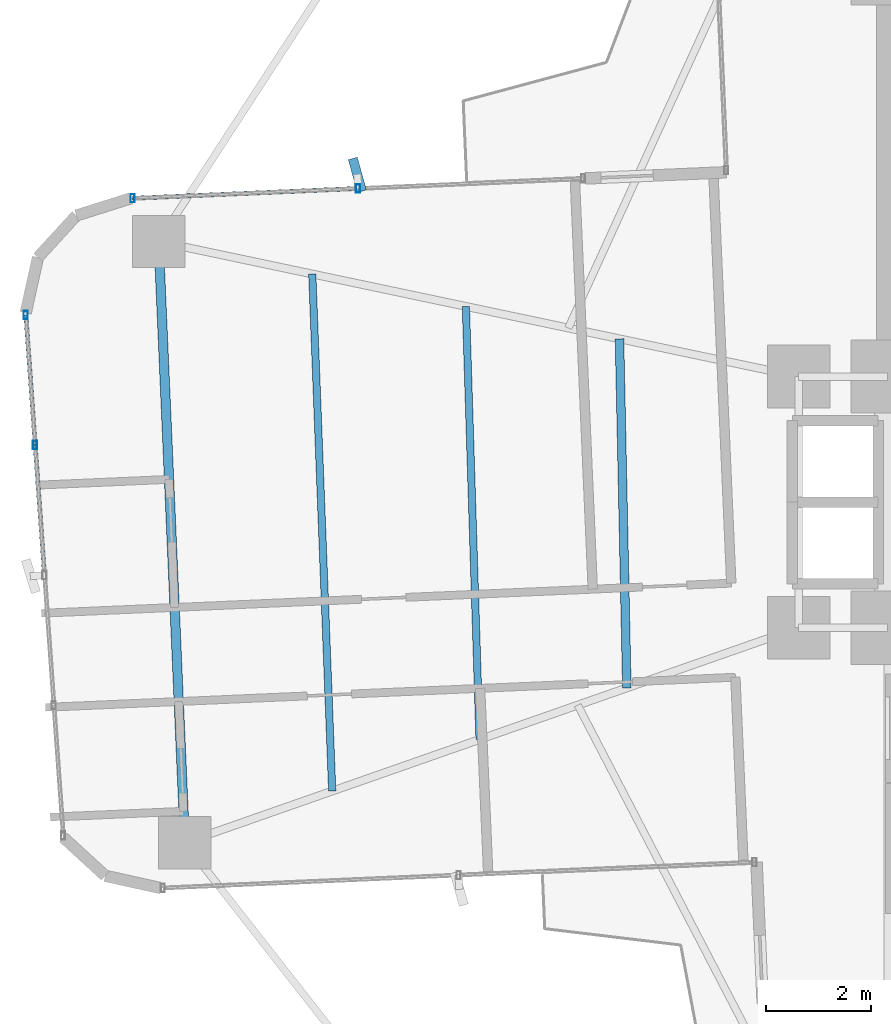
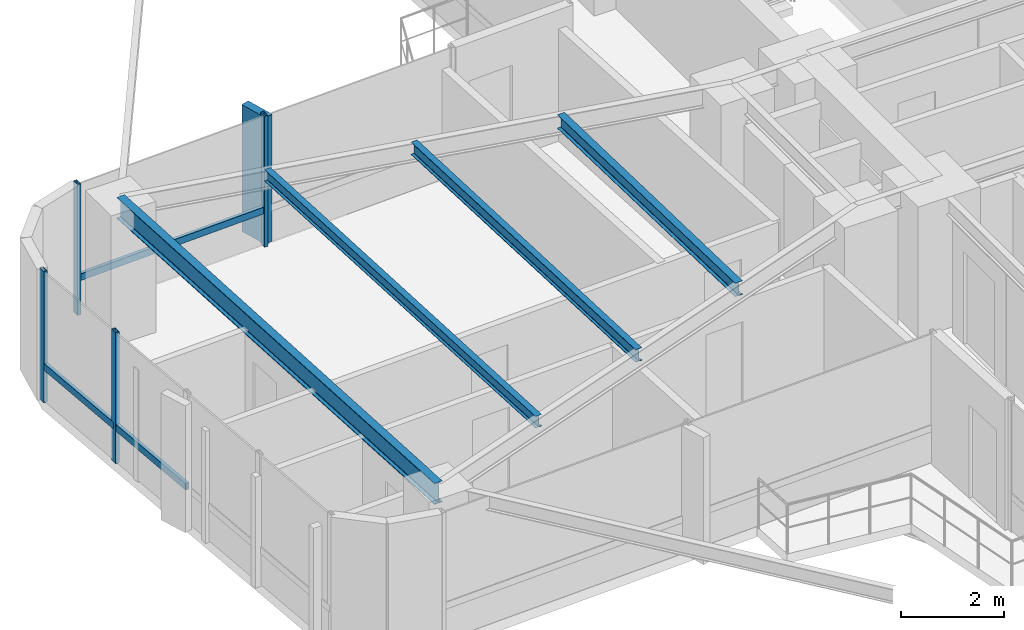
# One storey, part 9 of 26: 8 members, 4 beams, 2 elements without a shape of their own.
"""IFC4 building model written with IfcOpenShell, lengths in metres."""

from ifc_helpers import new_model, si_unit, direction, frame, origin, origin_2d, place, context, subcontext, project, spatial, rectangle, hollow_rectangle, i_section, extrude, source, transform, mapped, material, material_profile, profile_set, type_object, element, aggregate, save


model = new_model("IFC4")

# Units and contexts
model_context = context("Model", 3, precision=1e-05, world=origin(), true_north=direction((0.0, 1.0)))
body_context = subcontext(model_context, "Body", "Model", "MODEL_VIEW")
ifc_project = project(units=[si_unit("LENGTHUNIT", "METRE"), si_unit("AREAUNIT", "SQUARE_METRE"), si_unit("VOLUMEUNIT", "CUBIC_METRE"), si_unit("PLANEANGLEUNIT", "RADIAN"), si_unit("MASSUNIT", "GRAM", prefix="KILO")], contexts=[model_context])

# Site, building, storey
site_placement = place(None, origin())
site = spatial("IfcSite", under=ifc_project, at=site_placement, CompositionType="ELEMENT")
building_placement = place(site_placement, origin())
building = spatial("IfcBuilding", under=site, at=building_placement, Name="Sahyath Konkavel Grand Hotel", CompositionType="ELEMENT")
storey_placement = place(building_placement, frame((0.0, 0.0, 86.85009765625)))
storey = spatial("IfcBuildingStorey", under=building, at=storey_placement, Name="L23", CompositionType="ELEMENT", Elevation=86.85009765625)

# Beams
ifc_material_1 = material(Name="Steel E350", Category="steel")
ifc_material_profile_1 = material_profile(ifc_material_1, i_section(OverallWidth=0.179931640625, OverallDepth=0.5, WebThickness=0.01025390625, FlangeThickness=0.01708984375, FilletRadius=0.01708984375, at=origin_2d()), Name="ISMB 500")
ifc_profile_set_1 = profile_set([ifc_material_profile_1], Name="Steel E350")
beam_type_1 = type_object("IfcBeamType", Name="BM-ISMB500", PredefinedType="BEAM", material=ifc_profile_set_1)
shared_shape_1 = source(origin(), body_context, "Body", "SweptSolid", [
    extrude(i_section(OverallWidth=0.179931640625, OverallDepth=0.5, WebThickness=0.01025390625, FlangeThickness=0.01708984375, FilletRadius=0.01708984375, at=origin_2d()), origin(), (0.0, 0.0, 1.0), 11.5),
])
beam_1_placement = place(storey_placement, frame((-17.734130859375, 4.981201171875, 2.85986328125), z_axis=(0.043627008892, -0.99904788879, 0.0), x_axis=(0.99904788879, 0.043627008892, 0.0)))
element("IfcBeam", 1, at=beam_1_placement, inside=storey, type_object=beam_type_1, Name="L23 Wing Tip Edge Beam W", PredefinedType="BEAM", context=body_context, shape_type="MappedRepresentation", body=[
    mapped(shared_shape_1, transform((0.0, 0.0, 0.0), scale=1.0)),
])
ifc_material_profile_2 = material_profile(ifc_material_1, i_section(OverallWidth=0.1650390625, OverallDepth=0.324951171875, WebThickness=0.007080078125, FlangeThickness=0.009765625, FilletRadius=0.014892578125, at=origin_2d()), Name="ISLB 325")
ifc_profile_set_2 = profile_set([ifc_material_profile_2], Name="Steel E350")
beam_type_2 = type_object("IfcBeamType", Name="BM-ISLB325", PredefinedType="BEAM", material=ifc_profile_set_2)
shared_shape_2 = source(origin(), body_context, "Body", "SweptSolid", [
    extrude(i_section(OverallWidth=0.1650390625, OverallDepth=0.324951171875, WebThickness=0.007080078125, FlangeThickness=0.009765625, FilletRadius=0.014892578125, at=origin_2d()), origin(), (0.0, 0.0, 1.0), 6.674560546875),
])
beam_2_placement = place(storey_placement, frame((-8.925537109375, 3.122802734375, 2.947509765625), z_axis=(0.021032188543, -0.999778799058, 0.0), x_axis=(0.999778799058, 0.021032188543, 0.0)))
element("IfcBeam", 2, at=beam_2_placement, inside=storey, type_object=beam_type_2, Name="L23 Secondary Floor Beam W-1", PredefinedType="BEAM", context=body_context, shape_type="MappedRepresentation", body=[
    mapped(shared_shape_2, transform((0.0, 0.0, 0.0), scale=1.0)),
])
ifc_material_profile_3 = material_profile(ifc_material_1, i_section(OverallWidth=0.139892578125, OverallDepth=0.300048828125, WebThickness=0.0078125, FlangeThickness=0.01318359375, FilletRadius=0.013916015625, at=origin_2d()), Name="ISMB 300")
ifc_profile_set_3 = profile_set([ifc_material_profile_3], Name="Steel E350")
beam_type_3 = type_object("IfcBeamType", Name="BM-ISMB300", PredefinedType="BEAM", material=ifc_profile_set_3)
shared_shape_3 = source(origin(), body_context, "Body", "SweptSolid", [
    extrude(i_section(OverallWidth=0.139892578125, OverallDepth=0.300048828125, WebThickness=0.0078125, FlangeThickness=0.01318359375, FilletRadius=0.013916015625, at=origin_2d()), origin(), (0.0, 0.0, 1.0), 8.282470703125),
])
beam_3_placement = place(storey_placement, frame((-11.86181640625, 3.7421875, 2.9599609375), z_axis=(0.031510827707, -0.999503410568, 0.0), x_axis=(0.999503410568, 0.031510827707, 0.0)))
element("IfcBeam", 3, at=beam_3_placement, inside=storey, type_object=beam_type_3, Name="L23 Secondary Floor Beam W-2", PredefinedType="BEAM", context=body_context, shape_type="MappedRepresentation", body=[
    mapped(shared_shape_3, transform((0.0, 0.0, 0.0), scale=1.0)),
])
ifc_material_profile_4 = material_profile(ifc_material_1, i_section(OverallWidth=0.139892578125, OverallDepth=0.27490234375, WebThickness=0.00634765625, FlangeThickness=0.0087890625, FilletRadius=0.012939453125, at=origin_2d()), Name="ISLB 275")
ifc_profile_set_4 = profile_set([ifc_material_profile_4], Name="Steel E350")
beam_type_4 = type_object("IfcBeamType", Name="BM-ISLB275", PredefinedType="BEAM", material=ifc_profile_set_4)
shared_shape_4 = source(origin(), body_context, "Body", "SweptSolid", [
    extrude(i_section(OverallWidth=0.139892578125, OverallDepth=0.27490234375, WebThickness=0.00634765625, FlangeThickness=0.0087890625, FilletRadius=0.012939453125, at=origin_2d()), origin(), (0.0, 0.0, 1.0), 9.89111328125),
])
beam_4_placement = place(storey_placement, frame((-14.798095703125, 4.36181640625, 2.972412109375), z_axis=(0.03855445741, -0.999256500511, 0.0), x_axis=(0.999256500511, 0.03855445741, 0.0)))
element("IfcBeam", 4, at=beam_4_placement, inside=storey, type_object=beam_type_4, Name="L23 Secondary Floor Beam W-3", PredefinedType="BEAM", context=body_context, shape_type="MappedRepresentation", body=[
    mapped(shared_shape_4, transform((0.0, 0.0, 0.0), scale=1.0)),
])

# Curtain wall, members
ifc_material_2 = material(Name="Anodised Bronze Aluminium & Low-E Glazing", Category="aluminium")
curtain_wall_type = type_object("IfcCurtainWallType", Name="CW-ZONE2", PredefinedType="NOTDEFINED", material=ifc_material_2)
curtain_wall_1_placement = place(storey_placement, origin())
curtain_wall_1 = element("IfcCurtainWall", 5, at=curtain_wall_1_placement, inside=storey, type_object=curtain_wall_type, Name="L23 Unitised Curtain Wall F16", PredefinedType="NOTDEFINED")
ifc_material_3 = material(Name="Anodised Bronze Aluminium", Category="aluminium")
ifc_material_profile_5 = material_profile(ifc_material_3, hollow_rectangle(XDim=0.080078125, YDim=0.159912109375, WallThickness=0.006103515625, at=origin_2d()), Name="RHS 160x80x6")
ifc_profile_set_5 = profile_set([ifc_material_profile_5], Name="Anodised Bronze Aluminium")
member_type_1 = type_object("IfcMemberType", Name="CW-MUL-160", PredefinedType="MULLION", material=ifc_profile_set_5)
shared_shape_5 = source(origin(), body_context, "Body", "SweptSolid", [
    extrude(hollow_rectangle(XDim=0.080078125, YDim=0.159912109375, WallThickness=0.006103515625, at=origin_2d()), origin(), (0.0, 0.0, 1.0), 3.10986328125),
])
member_1_placement = place(storey_placement, frame((-13.9248046875, 5.998291015625, 0.0), z_axis=(0.0, 0.0, 1.0), x_axis=(1.0, 0.0, 0.0)))
member_1 = element("IfcMember", 6, at=member_1_placement, type_object=member_type_1, Name="L23 Curtain Wall Mullion F16-1", PredefinedType="MULLION", context=body_context, shape_type="MappedRepresentation", body=[
    mapped(shared_shape_5, transform((0.0, 0.0, 0.0), scale=1.0)),
])
member_2_placement = place(storey_placement, frame((-18.230712890625, 5.810302734375, 0.0), z_axis=(0.0, 0.0, 1.0), x_axis=(1.0, 0.0, 0.0)))
member_2 = element("IfcMember", 7, at=member_2_placement, type_object=member_type_1, Name="L23 Curtain Wall Mullion F16-2", PredefinedType="MULLION", context=body_context, shape_type="MappedRepresentation", body=[
    mapped(shared_shape_5, transform((0.0, 0.0, 0.0), scale=1.0)),
])

curtain_wall_2_placement = place(storey_placement, origin())
curtain_wall_2 = element("IfcCurtainWall", 8, at=curtain_wall_2_placement, inside=storey, type_object=curtain_wall_type, Name="L23 Unitised Curtain Wall F20", PredefinedType="NOTDEFINED")
member_3_placement = place(storey_placement, frame((-20.2744140625, 3.5791015625, 0.0), z_axis=(0.0, 0.0, 1.0), x_axis=(1.0, 0.0, 0.0)))
member_3 = element("IfcMember", 9, at=member_3_placement, type_object=member_type_1, Name="L23 Curtain Wall Mullion F20-0", PredefinedType="MULLION", context=body_context, shape_type="MappedRepresentation", body=[
    mapped(shared_shape_5, transform((0.0, 0.0, 0.0), scale=1.0)),
])
member_4_placement = place(storey_placement, frame((-20.095947265625, 1.092041015625, 0.0), z_axis=(0.0, 0.0, 1.0), x_axis=(1.0, 0.0, 0.0)))
member_4 = element("IfcMember", 10, at=member_4_placement, type_object=member_type_1, Name="L23 Curtain Wall Mullion F20-1", PredefinedType="MULLION", context=body_context, shape_type="MappedRepresentation", body=[
    mapped(shared_shape_5, transform((0.0, 0.0, 0.0), scale=1.0)),
])

# Member
ifc_material_4 = material(Name="Warm Buff Sandstone Cladding on Concrete C50/60", Category="masonry")
ifc_material_profile_6 = material_profile(ifc_material_4, rectangle(XDim=0.179931640625, YDim=0.64990234375, at=origin_2d()), Name="FIN 180x650")
ifc_profile_set_6 = profile_set([ifc_material_profile_6], Name="Warm Buff Sandstone Cladding on Concrete C50/60")
member_type_2 = type_object("IfcMemberType", Name="FIN-SANDSTONE-650", PredefinedType="MULLION", material=ifc_profile_set_6)
shared_shape_6 = source(origin(), body_context, "Body", "SweptSolid", [
    extrude(rectangle(XDim=0.179931640625, YDim=0.64990234375, at=origin_2d()), origin(), (0.0, 0.0, 1.0), 3.010009765625),
])
member_5_placement = place(storey_placement, frame((-13.936279296875, 6.258056640625, 0.0498046875), z_axis=(0.0, 0.0, 1.0), x_axis=(0.962360427228, 0.271776393577, 0.0)))
member_5 = element("IfcMember", 11, at=member_5_placement, type_object=member_type_2, Name="L23 Sandstone Vertical Solar Fin FIN F16-1", PredefinedType="MULLION", context=body_context, shape_type="MappedRepresentation", body=[
    mapped(shared_shape_6, transform((0.0, 0.0, 0.0), scale=1.0)),
])

ifc_material_profile_7 = material_profile(ifc_material_3, hollow_rectangle(XDim=0.080078125, YDim=0.159912109375, WallThickness=0.006103515625, at=origin_2d()), Name="RHS 160x80x6")
ifc_profile_set_7 = profile_set([ifc_material_profile_7], Name="Anodised Bronze Aluminium")
member_type_3 = type_object("IfcMemberType", Name="CW-TRN-160", PredefinedType="USERDEFINED", material=ifc_profile_set_7)
shared_shape_7 = source(origin(), body_context, "Body", "SweptSolid", [
    extrude(hollow_rectangle(XDim=0.080078125, YDim=0.159912109375, WallThickness=0.006103515625, at=origin_2d()), origin(), (0.0, 0.0, 1.0), 4.31005859375),
])
member_6_placement = place(storey_placement, frame((-13.9248046875, 5.998291015625, 0.849853515625), z_axis=(-0.999048340188, -0.043616670746, 0.0), x_axis=(0.043616670746, -0.999048340188, 0.0)))
member_6 = element("IfcMember", 12, at=member_6_placement, type_object=member_type_3, Name="L23 Curtain Wall Transom F16-1-spandrel", ObjectType="TRANSOM", PredefinedType="USERDEFINED", context=body_context, shape_type="MappedRepresentation", body=[
    mapped(shared_shape_7, transform((0.0, 0.0, 0.0), scale=1.0)),
])

aggregate(curtain_wall_1, [member_1, member_5, member_2, member_6])

shared_shape_8 = source(origin(), body_context, "Body", "SweptSolid", [
    extrude(hollow_rectangle(XDim=0.080078125, YDim=0.159912109375, WallThickness=0.006103515625, at=origin_2d()), origin(), (0.0, 0.0, 1.0), 2.493408203125),
])
member_7_placement = place(storey_placement, frame((-20.2744140625, 3.5791015625, 0.849853515625), z_axis=(0.071574084062, -0.997435286367, 0.0), x_axis=(0.997435286367, 0.071574084062, 0.0)))
member_7 = element("IfcMember", 13, at=member_7_placement, type_object=member_type_3, Name="L23 Curtain Wall Transom F20-0-spandrel", ObjectType="TRANSOM", PredefinedType="USERDEFINED", context=body_context, shape_type="MappedRepresentation", body=[
    mapped(shared_shape_8, transform((0.0, 0.0, 0.0), scale=1.0)),
])

member_8_placement = place(storey_placement, frame((-20.095947265625, 1.092041015625, 0.849853515625), z_axis=(0.071574084062, -0.997435286367, 0.0), x_axis=(0.997435286367, 0.071574084062, 0.0)))
member_8 = element("IfcMember", 14, at=member_8_placement, type_object=member_type_3, Name="L23 Curtain Wall Transom F20-1-spandrel", ObjectType="TRANSOM", PredefinedType="USERDEFINED", context=body_context, shape_type="MappedRepresentation", body=[
    mapped(shared_shape_8, transform((0.0, 0.0, 0.0), scale=1.0)),
])

aggregate(curtain_wall_2, [member_3, member_4, member_7, member_8])

save(model, "model.ifc")
